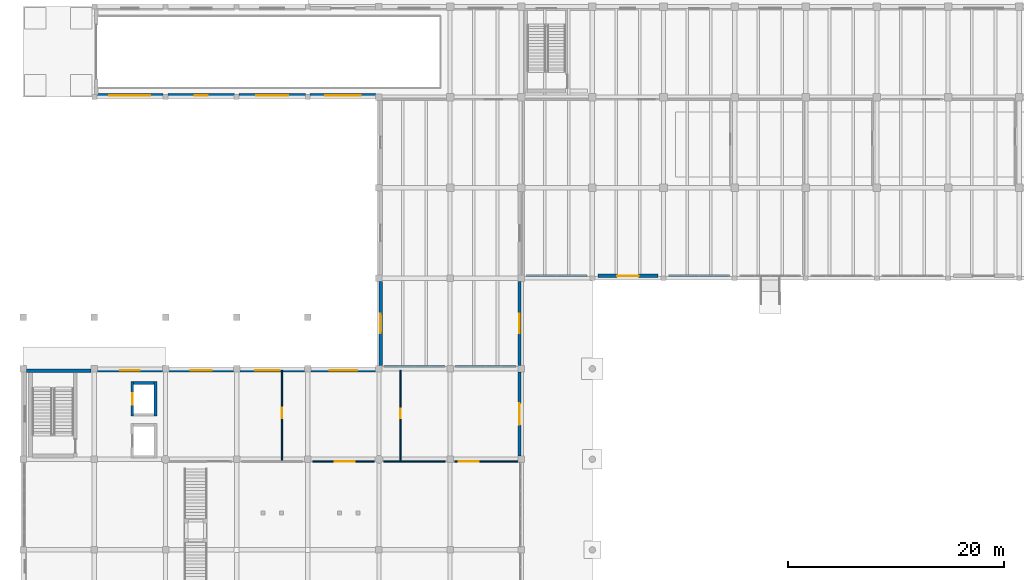
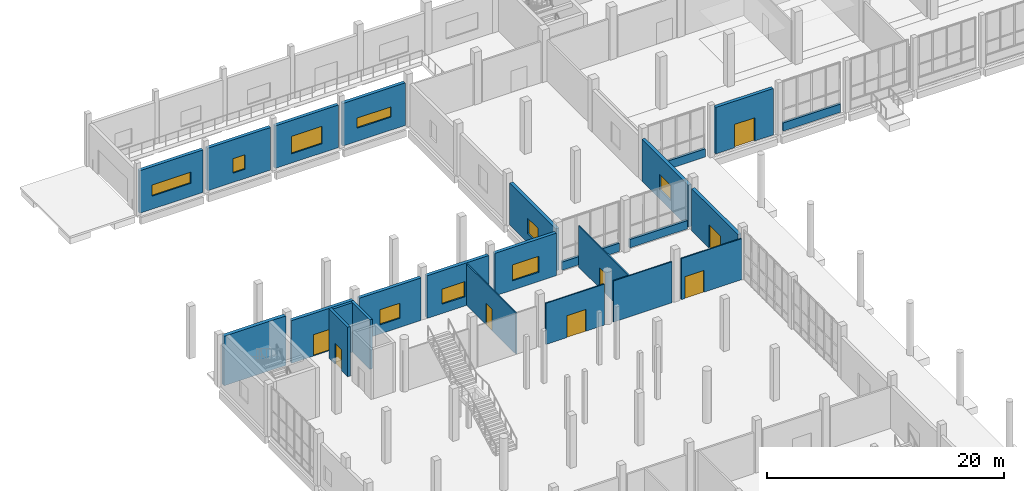
# One storey, part 42 of 64: 25 walls, 9 windows, 8 doors, 17 openings.
"""IFC4 building model written with IfcOpenShell, lengths in metres."""

import ifcopenshell
import ifcopenshell.guid

model = None  # the IFC model being written
_history = None  # IfcOwnerHistory: only IFC2X3 demands one
_inside = {}  # id of a spatial element -> (the spatial element, [elements in it])
_under = {}  # id of a project, library or spatial element -> (it, [spatial elements below it])
_declared = {}  # id of a project -> (the project, [libraries it declares])
_typed = {}  # id of a type object -> (the type object, [elements of that type])
_made_of = {}  # id of a material, layer set ... -> (it, [elements and type objects made of it])


def new_model(schema):
    """Start an empty IFC model of exactly this schema.

    Asked for "IFC4X3", IfcOpenShell would pick the latest addendum, in which some entities
    have other attributes; the version numbers below select the first issue.
    IFC2X3 requires an IfcOwnerHistory on every rooted entity: one is made here for all.
    """
    global model, _history
    if schema == "IFC4X3":
        model = ifcopenshell.file(schema_version=(4, 3, 0, 0))
    else:
        model = ifcopenshell.file(schema=schema)
    _inside.clear()
    _under.clear()
    _declared.clear()
    _typed.clear()
    _made_of.clear()
    _history = None
    if model.schema == "IFC2X3":
        org = make("IfcOrganization", Name="unknown")
        user = make(
            "IfcPersonAndOrganization",
            ThePerson=make("IfcPerson", FamilyName="unknown"),
            TheOrganization=org,
        )
        app = make(
            "IfcApplication",
            ApplicationDeveloper=org,
            Version="unknown",
            ApplicationFullName="unknown",
            ApplicationIdentifier="unknown",
        )
        _history = make(
            "IfcOwnerHistory",
            OwningUser=user,
            OwningApplication=app,
            ChangeAction="ADDED",
            CreationDate=0,
        )
    return model


def make(cls, **values):
    """One entity of the class cls with the attributes given. An attribute that is None is left unset."""
    return model.create_entity(
        cls, **{name: value for name, value in values.items() if value is not None}
    )


def rooted(cls, **values):
    """An entity with a GlobalId (a new one), such as an element, a storey or a relation."""
    return make(cls, GlobalId=ifcopenshell.guid.new(), OwnerHistory=_history, **values)


def si_unit(unit_type, name, prefix=None):
    """IfcSIUnit, for example si_unit("LENGTHUNIT", "METRE", prefix="MILLI")."""
    return make("IfcSIUnit", UnitType=unit_type, Prefix=prefix, Name=name)


def assignment(units):
    """IfcUnitAssignment: the units of a project."""
    return None if units is None else make("IfcUnitAssignment", Units=units)


def point(xyz):
    """IfcCartesianPoint."""
    return None if xyz is None else make("IfcCartesianPoint", Coordinates=xyz)


def direction(xyz):
    """IfcDirection."""
    return None if xyz is None else make("IfcDirection", DirectionRatios=xyz)


def frame(location, z_axis=None, x_axis=None):
    """IfcAxis2Placement3D, a coordinate frame: its origin and axes. An axis left out is left unset."""
    return make(
        "IfcAxis2Placement3D",
        Location=point(location),
        Axis=direction(z_axis),
        RefDirection=direction(x_axis),
    )


def frame_2d(location, x_axis=None):
    """IfcAxis2Placement2D, a coordinate frame in the plane: its origin and x axis."""
    return make(
        "IfcAxis2Placement2D", Location=point(location), RefDirection=direction(x_axis)
    )


def origin():
    """The frame at (0, 0, 0) with its axes left unset."""
    return frame((0.0, 0.0, 0.0))


def place(relative_to, where):
    """IfcLocalPlacement: puts the frame where relative to a parent placement (None: the world)."""
    return make(
        "IfcLocalPlacement", PlacementRelTo=relative_to, RelativePlacement=where
    )


def context(
    kind, dimensions, precision=None, world=None, true_north=None, identifier=None
):
    """IfcGeometricRepresentationContext, for example the 3D "Model" context."""
    return make(
        "IfcGeometricRepresentationContext",
        ContextIdentifier=identifier,
        ContextType=kind,
        CoordinateSpaceDimension=dimensions,
        Precision=precision,
        WorldCoordinateSystem=world,
        TrueNorth=true_north,
    )


def subcontext(parent, identifier, kind, view, scale=None):
    """IfcGeometricRepresentationSubContext, for example "Body" below "Model"."""
    return make(
        "IfcGeometricRepresentationSubContext",
        ContextIdentifier=identifier,
        ContextType=kind,
        ParentContext=parent,
        TargetScale=scale,
        TargetView=view,
    )


def project(units=None, contexts=None):
    """IfcProject with its units and contexts."""
    return rooted(
        "IfcProject",
        Name="project",
        RepresentationContexts=contexts,
        UnitsInContext=assignment(units),
    )


def spatial(cls, under=None, at=None, **own):
    """A site, building, storey or space (cls), placed at a placement, below another one or the project."""
    s = rooted(cls, ObjectPlacement=at, **own)
    if under is not None:
        _under.setdefault(under.id(), (under, []))[1].append(s)
    return s


def profile(cls, at=None, kind="AREA", **sizes):
    """A parametric profile (cls). Its sizes go by their IFC names, for example OverallWidth=200.0."""
    return make(cls, ProfileType=kind, Position=at, **sizes)


def rectangle(**sizes):
    """IfcRectangleProfileDef."""
    return profile("IfcRectangleProfileDef", **sizes)


def extrude(swept, where, along, depth):
    """IfcExtrudedAreaSolid: the profile swept, set in the frame where, extruded along a direction by depth."""
    return make(
        "IfcExtrudedAreaSolid",
        SweptArea=swept,
        Position=where,
        ExtrudedDirection=direction(along),
        Depth=depth,
    )


def shape(context_of_items, identifier, shape_type, items):
    """IfcShapeRepresentation: the items that make up one representation, for example the "Body"."""
    return make(
        "IfcShapeRepresentation",
        ContextOfItems=context_of_items,
        RepresentationIdentifier=identifier,
        RepresentationType=shape_type,
        Items=items,
    )


def material(Name=None, Category=None):
    """IfcMaterial."""
    return make("IfcMaterial", Name=Name, Category=Category)


def layer(
    of_material, thickness, ventilated=None, Name=None, Category=None, Priority=None
):
    """IfcMaterialLayer: one layer of a wall or slab, of a material (None: an air gap)."""
    return make(
        "IfcMaterialLayer",
        Material=of_material,
        LayerThickness=thickness,
        IsVentilated=ventilated,
        Name=Name,
        Category=Category,
        Priority=Priority,
    )


def layer_set(layers, Name=None):
    """IfcMaterialLayerSet."""
    return make("IfcMaterialLayerSet", MaterialLayers=layers, LayerSetName=Name)


def made_of(thing, what):
    """Note that an element or type object is made of a material, layer set ...; save() writes the relation."""
    if what is not None:
        _made_of.setdefault(what.id(), (what, []))[1].append(thing)
    return thing


def type_object(cls, material=None, **own):
    """A type object (cls), such as IfcWallType, which elements share."""
    return made_of(rooted(cls, **own), material)


def element(
    cls,
    number,
    at=None,
    inside=None,
    cuts=None,
    type_object=None,
    material=None,
    context=None,
    identifier="Body",
    shape_type=None,
    held_by="IfcProductDefinitionShape",
    body=None,
    shapes=None,
    **own,
):
    """One element of the class cls, such as IfcWall. Its Tag is "e" and its number.

    at: its placement. inside: the storey or other place that contains it. cuts: it is an
    opening in that element (IfcRelVoidsElement). A single representation is given by context,
    identifier, shape_type and body (its items); several are given by shapes. held_by: the class
    of the entity that holds the representations. save() writes the other relations.
    """
    e = rooted(cls, Tag="e%d" % number, ObjectPlacement=at, **own)
    if body is not None:
        shapes = [shape(context, identifier, shape_type, body)]
    if shapes is not None:
        e.Representation = make(held_by, Representations=shapes)
    if inside is not None:
        _inside.setdefault(inside.id(), (inside, []))[1].append(e)
    if cuts is not None:
        rooted(
            "IfcRelVoidsElement", RelatingBuildingElement=cuts, RelatedOpeningElement=e
        )
    if type_object is not None:
        _typed.setdefault(type_object.id(), (type_object, []))[1].append(e)
    return made_of(e, material)


def fill(opening, filler):
    """IfcRelFillsElement: the door or window that sits in an opening."""
    return rooted(
        "IfcRelFillsElement",
        RelatingOpeningElement=opening,
        RelatedBuildingElement=filler,
    )


def aggregate(whole, parts):
    """IfcRelAggregates: a whole, such as a stair, and the parts it consists of."""
    return rooted("IfcRelAggregates", RelatingObject=whole, RelatedObjects=parts)


def save(model, path):
    """Write the relations noted so far, then the file.

    IfcRelAggregates (storeys below a building ...), IfcRelContainedInSpatialStructure (elements
    in a storey), IfcRelDefinesByType, IfcRelAssociatesMaterial and IfcRelDeclares: one each for
    every whole, place, type object, material and project.
    """
    for whole, parts in _under.values():
        aggregate(whole, parts)
    for where, things in _inside.values():
        rooted(
            "IfcRelContainedInSpatialStructure",
            RelatedElements=things,
            RelatingStructure=where,
        )
    for kind, things in _typed.values():
        rooted("IfcRelDefinesByType", RelatedObjects=things, RelatingType=kind)
    for what, things in _made_of.values():
        rooted("IfcRelAssociatesMaterial", RelatedObjects=things, RelatingMaterial=what)
    for by, libraries in _declared.values():
        rooted("IfcRelDeclares", RelatingContext=by, RelatedDefinitions=libraries)
    model.write(path)


model = new_model("IFC4")

# Units and contexts
model_context = context("Model", 3, precision=1e-05, world=origin(), true_north=direction((0.0, 1.0)))
body_context = subcontext(model_context, "Body", "Model", "MODEL_VIEW")
ifc_project = project(units=[si_unit("LENGTHUNIT", "METRE"), si_unit("AREAUNIT", "SQUARE_METRE"), si_unit("VOLUMEUNIT", "CUBIC_METRE"), si_unit("PLANEANGLEUNIT", "RADIAN"), si_unit("MASSUNIT", "GRAM", prefix="KILO")], contexts=[model_context])

# Site, building, storey
site_placement = place(None, origin())
site = spatial("IfcSite", under=ifc_project, at=site_placement, CompositionType="ELEMENT")
building_placement = place(site_placement, origin())
building = spatial("IfcBuilding", under=site, at=building_placement, Name="Qaldarim Faculty of Natural and Applied Sciences", CompositionType="ELEMENT")
storey_placement = place(building_placement, origin())
storey = spatial("IfcBuildingStorey", under=building, at=storey_placement, Name="L00", CompositionType="ELEMENT", Elevation=0.0)

# Wall, opening, door
ifc_material_1 = material(Name="Painted gypsum partition board")
ifc_layer_1 = layer(ifc_material_1, 0.1201171875)
ifc_layer_set_1 = layer_set([ifc_layer_1], Name="Painted gypsum partition board")
wall_type_1 = type_object("IfcWallType", Name="AcousticPartition-120", PredefinedType="PARTITIONING", material=ifc_layer_set_1)
wall_1_placement = place(storey_placement, frame((26.85009765625, 75.39990234375, 0.0), z_axis=(0.0, 0.0, 1.0), x_axis=(1.0, 0.0, 0.0)))
wall_1 = element("IfcWall", 1, at=wall_1_placement, inside=storey, type_object=wall_type_1, Name="Interior partition PRT-L00-V2-CAFS-S3", PredefinedType="PARTITIONING", context=body_context, shape_type="SweptSolid", body=[
    extrude(rectangle(XDim=5.699951171875, YDim=0.1201171875, at=frame_2d((2.85009765625, 0.0))), origin(), (0.0, 0.0, 1.0), 4.235107421875),
])
opening_1_placement = place(wall_1_placement, frame((2.050048828125, 0.0, 0.0)))
opening_1 = element("IfcOpeningElement", 2, at=opening_1_placement, cuts=wall_1, Name="Opening ID05", PredefinedType="OPENING", context=body_context, shape_type="SweptSolid", body=[
    extrude(rectangle(XDim=1.85009765625, YDim=2.25, at=frame_2d((0.925048828125, 1.125))), frame((0.0, 0.070068359375, 0.0), z_axis=(0.0, -1.0, 0.0), x_axis=(1.0, 0.0, 0.0)), (0.0, 0.0, 1.0), 0.14013671875),
])
ifc_material_2 = material(Name="Oak hardwood", Category="wood")
door_type_1 = type_object("IfcDoorType", Name="LectureDoubleDoor-1850x2250", OperationType="NOTDEFINED", PredefinedType="DOOR", material=ifc_material_2)
door_1_placement = place(opening_1_placement, origin())
door_1 = element("IfcDoor", 3, at=door_1_placement, inside=storey, type_object=door_type_1, Name="Interior door D-L00-170", OperationType="DOUBLE_DOOR_SINGLE_SWING", OverallHeight=2.25, OverallWidth=1.85009765625, PredefinedType="DOOR", context=body_context, shape_type="SweptSolid", body=[
    extrude(rectangle(XDim=1.85009765625, YDim=2.25, at=frame_2d((0.925048828125, 1.125))), frame((0.0, 0.02490234375, 0.0), z_axis=(0.0, -1.0, 0.0), x_axis=(1.0, 0.0, 0.0)), (0.0, 0.0, 1.0), 0.050048828125),
])
fill(opening_1, door_1)

# Wall
wall_2_placement = place(storey_placement, frame((33.449951171875, 75.39990234375, 0.0), z_axis=(0.0, 0.0, 1.0), x_axis=(1.0, 0.0, 0.0)))
element("IfcWall", 4, at=wall_2_placement, inside=storey, type_object=wall_type_1, Name="Interior partition PRT-L00-V2-CAFS-S4", PredefinedType="PARTITIONING", context=body_context, shape_type="SweptSolid", body=[
    extrude(rectangle(XDim=5.699951171875, YDim=0.1201171875, at=frame_2d((2.85009765625, 0.0))), origin(), (0.0, 0.0, 1.0), 4.235107421875),
])

# Wall, opening, door
wall_3_placement = place(storey_placement, frame((40.050048828125, 75.39990234375, 0.0), z_axis=(0.0, 0.0, 1.0), x_axis=(1.0, 0.0, 0.0)))
wall_3 = element("IfcWall", 5, at=wall_3_placement, inside=storey, type_object=wall_type_1, Name="Interior partition PRT-L00-V2-CAFS-S5", PredefinedType="PARTITIONING", context=body_context, shape_type="SweptSolid", body=[
    extrude(rectangle(XDim=5.89990234375, YDim=0.1201171875, at=frame_2d((2.949951171875, 0.0))), origin(), (0.0, 0.0, 1.0), 4.235107421875),
])
opening_2_placement = place(wall_3_placement, frame((0.35009765625, 0.0, 0.0)))
opening_2 = element("IfcOpeningElement", 6, at=opening_2_placement, cuts=wall_3, Name="Opening ID05", PredefinedType="OPENING", context=body_context, shape_type="SweptSolid", body=[
    extrude(rectangle(XDim=1.85009765625, YDim=2.25, at=frame_2d((0.925048828125, 1.125))), frame((0.0, 0.070068359375, 0.0), z_axis=(0.0, -1.0, 0.0), x_axis=(1.0, 0.0, 0.0)), (0.0, 0.0, 1.0), 0.14013671875),
])
door_2_placement = place(opening_2_placement, origin())
door_2 = element("IfcDoor", 7, at=door_2_placement, inside=storey, type_object=door_type_1, Name="Interior door D-L00-171", OperationType="DOUBLE_DOOR_SINGLE_SWING", OverallHeight=2.25, OverallWidth=1.85009765625, PredefinedType="DOOR", context=body_context, shape_type="SweptSolid", body=[
    extrude(rectangle(XDim=1.85009765625, YDim=2.25, at=frame_2d((0.925048828125, 1.125))), frame((0.0, 0.02490234375, 0.0), z_axis=(0.0, -1.0, 0.0), x_axis=(1.0, 0.0, 0.0)), (0.0, 0.0, 1.0), 0.050048828125),
])
fill(opening_2, door_2)

wall_4_placement = place(storey_placement, frame((24.0, 75.39990234375, 0.0), z_axis=(0.0, 0.0, 1.0), x_axis=(0.0, 1.0, 0.0)))
wall_4 = element("IfcWall", 8, at=wall_4_placement, inside=storey, type_object=wall_type_1, Name="Interior partition PRT-L00-V2-SEMDIV", PredefinedType="PARTITIONING", context=body_context, shape_type="SweptSolid", body=[
    extrude(rectangle(XDim=8.460205078125, YDim=0.1201171875, at=frame_2d((4.22998046875, 0.0))), origin(), (0.0, 0.0, 1.0), 4.25),
])
opening_3_placement = place(wall_4_placement, frame((4.0, 0.0, 0.0)))
opening_3 = element("IfcOpeningElement", 9, at=opening_3_placement, cuts=wall_4, Name="Opening ID08", PredefinedType="OPENING", context=body_context, shape_type="SweptSolid", body=[
    extrude(rectangle(XDim=1.0, YDim=2.199951171875, at=frame_2d((0.5, 1.10009765625))), frame((0.0, 0.070068359375, 0.0), z_axis=(0.0, -1.0, 0.0), x_axis=(1.0, 0.0, 0.0)), (0.0, 0.0, 1.0), 0.14013671875),
])
door_type_2 = type_object("IfcDoorType", Name="SeminarRoomDoor-1000x2200", OperationType="NOTDEFINED", PredefinedType="DOOR", material=ifc_material_2)
door_3_placement = place(opening_3_placement, origin())
door_3 = element("IfcDoor", 10, at=door_3_placement, inside=storey, type_object=door_type_2, Name="Interior door D-L00-370", OperationType="SINGLE_SWING_LEFT", OverallHeight=2.199951171875, OverallWidth=1.0, PredefinedType="DOOR", context=body_context, shape_type="SweptSolid", body=[
    extrude(rectangle(XDim=1.0, YDim=2.199951171875, at=frame_2d((0.5, 1.10009765625))), frame((0.0, 0.02490234375, 0.0), z_axis=(0.0, -1.0, 0.0), x_axis=(1.0, 0.0, 0.0)), (0.0, 0.0, 1.0), 0.050048828125),
])
fill(opening_3, door_3)

wall_5_placement = place(storey_placement, frame((35.0, 75.39990234375, 0.0), z_axis=(0.0, 0.0, 1.0), x_axis=(0.0, 1.0, 0.0)))
wall_5 = element("IfcWall", 11, at=wall_5_placement, inside=storey, type_object=wall_type_1, Name="Interior partition PRT-L00-V2-SEMDIV2", PredefinedType="PARTITIONING", context=body_context, shape_type="SweptSolid", body=[
    extrude(rectangle(XDim=8.460205078125, YDim=0.1201171875, at=frame_2d((4.22998046875, 0.0))), origin(), (0.0, 0.0, 1.0), 4.25),
])
opening_4_placement = place(wall_5_placement, frame((4.0, 0.0, 0.0)))
opening_4 = element("IfcOpeningElement", 12, at=opening_4_placement, cuts=wall_5, Name="Opening ID07", PredefinedType="OPENING", context=body_context, shape_type="SweptSolid", body=[
    extrude(rectangle(XDim=0.89990234375, YDim=2.10009765625, at=frame_2d((0.449951171875, 1.050048828125))), frame((0.0, 0.070068359375, 0.0), z_axis=(0.0, -1.0, 0.0), x_axis=(1.0, 0.0, 0.0)), (0.0, 0.0, 1.0), 0.14013671875),
])
door_type_3 = type_object("IfcDoorType", Name="OfficeStudyDoor-900x2100", OperationType="NOTDEFINED", PredefinedType="DOOR", material=ifc_material_2)
door_4_placement = place(opening_4_placement, origin())
door_4 = element("IfcDoor", 13, at=door_4_placement, inside=storey, type_object=door_type_3, Name="Interior door D-L00-371", OperationType="SINGLE_SWING_LEFT", OverallHeight=2.10009765625, OverallWidth=0.89990234375, PredefinedType="DOOR", context=body_context, shape_type="SweptSolid", body=[
    extrude(rectangle(XDim=0.89990234375, YDim=2.10009765625, at=frame_2d((0.449951171875, 1.050048828125))), frame((0.0, 0.02490234375, 0.0), z_axis=(0.0, -1.0, 0.0), x_axis=(1.0, 0.0, 0.0)), (0.0, 0.0, 1.0), 0.050048828125),
])
fill(opening_4, door_4)

ifc_material_3 = material(Name="Precast concrete C40/50", Category="concrete")
ifc_layer_2 = layer(ifc_material_3, 0.320068359375)
ifc_layer_set_2 = layer_set([ifc_layer_2], Name="Precast concrete C40/50")
wall_type_2 = type_object("IfcWallType", Name="ExteriorLimestoneWall-320", PredefinedType="SOLIDWALL", material=ifc_layer_set_2)
wall_6_placement = place(storey_placement, frame((12.905029296875, 83.840087890625, 0.0), z_axis=(0.0, 0.0, 1.0), x_axis=(-1.0, 0.0, 0.0)))
wall_6 = element("IfcWall", 14, at=wall_6_placement, inside=storey, type_object=wall_type_2, Name="Exterior wall EW01 L00 N X02Y10", PredefinedType="SOLIDWALL", context=body_context, shape_type="SweptSolid", body=[
    extrude(rectangle(XDim=6.010009765625, YDim=0.320068359375, at=frame_2d((3.0048828125, 0.0))), origin(), (0.0, 0.0, 1.0), 4.385009765625),
])
opening_5_placement = place(wall_6_placement, frame((2.10498046875, 0.0, 0.0)))
opening_5 = element("IfcOpeningElement", 15, at=opening_5_placement, cuts=wall_6, Name="Opening ED04", PredefinedType="OPENING", context=body_context, shape_type="SweptSolid", body=[
    extrude(rectangle(XDim=1.800048828125, YDim=2.199951171875, at=frame_2d((0.89990234375, 1.10009765625))), frame((0.0, 0.169921875, 0.0), z_axis=(0.0, -1.0, 0.0), x_axis=(1.0, 0.0, 0.0)), (0.0, 0.0, 1.0), 0.340087890625),
])
ifc_material_4 = material(Name="Architectural stainless steel 316", Category="steel")
door_type_4 = type_object("IfcDoorType", Name="FinalExitDoubleDoor-1800x2200", OperationType="NOTDEFINED", PredefinedType="DOOR", material=ifc_material_4)
door_5_placement = place(opening_5_placement, frame((1.800048828125, 0.0, 0.0), z_axis=(0.0, 0.0, 1.0), x_axis=(-1.0, 0.0, 0.0)))
door_5 = element("IfcDoor", 16, at=door_5_placement, inside=storey, type_object=door_type_4, Name="Exterior entrance/exit door D-L00-003", OperationType="DOUBLE_DOOR_SINGLE_SWING", OverallHeight=2.199951171875, OverallWidth=1.800048828125, PredefinedType="DOOR", context=body_context, shape_type="SweptSolid", body=[
    extrude(rectangle(XDim=1.800048828125, YDim=2.199951171875, at=frame_2d((0.89990234375, 1.10009765625))), frame((0.0, 0.02490234375, 0.0), z_axis=(0.0, -1.0, 0.0), x_axis=(1.0, 0.0, 0.0)), (0.0, 0.0, 1.0), 0.050048828125),
])
fill(opening_5, door_5)

# Wall, opening, window
wall_7_placement = place(storey_placement, frame((6.820068359375, 109.360107421875, 0.0), z_axis=(0.0, 0.0, 1.0), x_axis=(1.0, 0.0, 0.0)))
wall_7 = element("IfcWall", 17, at=wall_7_placement, inside=storey, type_object=wall_type_2, Name="Exterior wall EW01 L00 S X02Y14", PredefinedType="SOLIDWALL", context=body_context, shape_type="SweptSolid", body=[
    extrude(rectangle(XDim=6.159912109375, YDim=0.320068359375, at=frame_2d((3.080078125, 0.0))), origin(), (0.0, 0.0, 1.0), 4.385009765625),
])
opening_6_placement = place(wall_7_placement, frame((1.179931640625, 0.0, 1.35009765625)))
opening_6 = element("IfcOpeningElement", 18, at=opening_6_placement, cuts=wall_7, Name="Opening WN24", PredefinedType="OPENING", context=body_context, shape_type="SweptSolid", body=[
    extrude(rectangle(XDim=3.800048828125, YDim=1.14990234375, at=frame_2d((1.89990234375, 0.574951171875))), frame((0.0, 0.169921875, 0.0), z_axis=(0.0, -1.0, 0.0), x_axis=(1.0, 0.0, 0.0)), (0.0, 0.0, 1.0), 0.340087890625),
])
ifc_material_5 = material(Name="Insulated low-e double glazing", Category="glass")
window_type_1 = type_object("IfcWindowType", Name="ClerestoryWindow-3800x1150", PartitioningType="TRIPLE_PANEL_HORIZONTAL", PredefinedType="WINDOW", material=ifc_material_5)
window_1_placement = place(opening_6_placement, origin())
window_1 = element("IfcWindow", 19, at=window_1_placement, inside=storey, type_object=window_type_1, Name="Facade window WN24 L00 S X02Y14", OverallHeight=1.14990234375, OverallWidth=3.800048828125, PartitioningType="SINGLE_PANEL", PredefinedType="WINDOW", context=body_context, shape_type="SweptSolid", body=[
    extrude(rectangle(XDim=3.800048828125, YDim=1.14990234375, at=frame_2d((1.89990234375, 0.574951171875))), frame((0.0, 0.030029296875, 0.0), z_axis=(0.0, -1.0, 0.0), x_axis=(1.0, 0.0, 0.0)), (0.0, 0.0, 1.0), 0.06005859375),
])
fill(opening_6, window_1)

wall_8_placement = place(storey_placement, frame((19.5048828125, 83.840087890625, 0.0), z_axis=(0.0, 0.0, 1.0), x_axis=(-1.0, 0.0, 0.0)))
wall_8 = element("IfcWall", 20, at=wall_8_placement, inside=storey, type_object=wall_type_2, Name="Exterior wall EW01 L00 N X03Y10", PredefinedType="SOLIDWALL", context=body_context, shape_type="SweptSolid", body=[
    extrude(rectangle(XDim=6.009765625, YDim=0.320068359375, at=frame_2d((3.0048828125, 0.0))), origin(), (0.0, 0.0, 1.0), 4.385009765625),
])
opening_7_placement = place(wall_8_placement, frame((2.030029296875, 0.0, 0.949951171875)))
opening_7 = element("IfcOpeningElement", 21, at=opening_7_placement, cuts=wall_8, Name="Opening WN11", PredefinedType="OPENING", context=body_context, shape_type="SweptSolid", body=[
    extrude(rectangle(XDim=1.949951171875, YDim=1.550048828125, at=frame_2d((0.97509765625, 0.77490234375))), frame((0.0, 0.169921875, 0.0), z_axis=(0.0, -1.0, 0.0), x_axis=(1.0, 0.0, 0.0)), (0.0, 0.0, 1.0), 0.340087890625),
])
window_type_2 = type_object("IfcWindowType", Name="LabWindow-1950x1550", PartitioningType="DOUBLE_PANEL_VERTICAL", PredefinedType="WINDOW", material=ifc_material_5)
window_2_placement = place(opening_7_placement, origin())
window_2 = element("IfcWindow", 22, at=window_2_placement, inside=storey, type_object=window_type_2, Name="Facade window WN11 L00 N X03Y10", OverallHeight=1.550048828125, OverallWidth=1.949951171875, PartitioningType="SINGLE_PANEL", PredefinedType="WINDOW", context=body_context, shape_type="SweptSolid", body=[
    extrude(rectangle(XDim=1.949951171875, YDim=1.550048828125, at=frame_2d((0.97509765625, 0.77490234375))), frame((0.0, 0.030029296875, 0.0), z_axis=(0.0, -1.0, 0.0), x_axis=(1.0, 0.0, 0.0)), (0.0, 0.0, 1.0), 0.06005859375),
])
fill(opening_7, window_2)

wall_9_placement = place(storey_placement, frame((13.419921875, 109.360107421875, 0.0), z_axis=(0.0, 0.0, 1.0), x_axis=(1.0, 0.0, 0.0)))
wall_9 = element("IfcWall", 23, at=wall_9_placement, inside=storey, type_object=wall_type_2, Name="Exterior wall EW01 L00 S X03Y14", PredefinedType="SOLIDWALL", context=body_context, shape_type="SweptSolid", body=[
    extrude(rectangle(XDim=6.16015625, YDim=0.320068359375, at=frame_2d((3.080078125, 0.0))), origin(), (0.0, 0.0, 1.0), 4.385009765625),
])
opening_8_placement = place(wall_9_placement, frame((2.47998046875, 0.0, 0.949951171875)))
opening_8 = element("IfcOpeningElement", 24, at=opening_8_placement, cuts=wall_9, Name="Opening WN01", PredefinedType="OPENING", context=body_context, shape_type="SweptSolid", body=[
    extrude(rectangle(XDim=1.199951171875, YDim=1.5, at=frame_2d((0.60009765625, 0.75))), frame((0.0, 0.169921875, 0.0), z_axis=(0.0, -1.0, 0.0), x_axis=(1.0, 0.0, 0.0)), (0.0, 0.0, 1.0), 0.340087890625),
])
window_type_3 = type_object("IfcWindowType", Name="Window-1200x1500", PartitioningType="SINGLE_PANEL", PredefinedType="WINDOW", material=ifc_material_5)
window_3_placement = place(opening_8_placement, origin())
window_3 = element("IfcWindow", 25, at=window_3_placement, inside=storey, type_object=window_type_3, Name="Facade window WN01 L00 S X03Y14", OverallHeight=1.5, OverallWidth=1.199951171875, PartitioningType="SINGLE_PANEL", PredefinedType="WINDOW", context=body_context, shape_type="SweptSolid", body=[
    extrude(rectangle(XDim=1.199951171875, YDim=1.5, at=frame_2d((0.60009765625, 0.75))), frame((0.0, 0.030029296875, 0.0), z_axis=(0.0, -1.0, 0.0), x_axis=(1.0, 0.0, 0.0)), (0.0, 0.0, 1.0), 0.06005859375),
])
fill(opening_8, window_3)

wall_10_placement = place(storey_placement, frame((26.10498046875, 83.840087890625, 0.0), z_axis=(0.0, 0.0, 1.0), x_axis=(-1.0, 0.0, 0.0)))
wall_10 = element("IfcWall", 26, at=wall_10_placement, inside=storey, type_object=wall_type_2, Name="Exterior wall EW01 L00 N X04Y10", PredefinedType="SOLIDWALL", context=body_context, shape_type="SweptSolid", body=[
    extrude(rectangle(XDim=6.010009765625, YDim=0.320068359375, at=frame_2d((3.0048828125, 0.0))), origin(), (0.0, 0.0, 1.0), 4.385009765625),
])
opening_9_placement = place(wall_10_placement, frame((2.324951171875, 0.0, 0.949951171875)))
opening_9 = element("IfcOpeningElement", 27, at=opening_9_placement, cuts=wall_10, Name="Opening WN12", PredefinedType="OPENING", context=body_context, shape_type="SweptSolid", body=[
    extrude(rectangle(XDim=2.25, YDim=1.550048828125, at=frame_2d((1.125, 0.77490234375))), frame((0.0, 0.169921875, 0.0), z_axis=(0.0, -1.0, 0.0), x_axis=(1.0, 0.0, 0.0)), (0.0, 0.0, 1.0), 0.340087890625),
])
window_type_4 = type_object("IfcWindowType", Name="LabWindow-2250x1550", PartitioningType="TRIPLE_PANEL_VERTICAL", PredefinedType="WINDOW", material=ifc_material_5)
window_4_placement = place(opening_9_placement, origin())
window_4 = element("IfcWindow", 28, at=window_4_placement, inside=storey, type_object=window_type_4, Name="Facade window WN12 L00 N X04Y10", OverallHeight=1.550048828125, OverallWidth=2.25, PartitioningType="SINGLE_PANEL", PredefinedType="WINDOW", context=body_context, shape_type="SweptSolid", body=[
    extrude(rectangle(XDim=2.25, YDim=1.550048828125, at=frame_2d((1.125, 0.77490234375))), frame((0.0, 0.030029296875, 0.0), z_axis=(0.0, -1.0, 0.0), x_axis=(1.0, 0.0, 0.0)), (0.0, 0.0, 1.0), 0.06005859375),
])
fill(opening_9, window_4)

wall_11_placement = place(storey_placement, frame((20.02001953125, 109.360107421875, 0.0), z_axis=(0.0, 0.0, 1.0), x_axis=(1.0, 0.0, 0.0)))
wall_11 = element("IfcWall", 29, at=wall_11_placement, inside=storey, type_object=wall_type_2, Name="Exterior wall EW01 L00 S X04Y14", PredefinedType="SOLIDWALL", context=body_context, shape_type="SweptSolid", body=[
    extrude(rectangle(XDim=6.159912109375, YDim=0.320068359375, at=frame_2d((3.080078125, 0.0))), origin(), (0.0, 0.0, 1.0), 4.385009765625),
])
opening_10_placement = place(wall_11_placement, frame((1.580078125, 0.0, 0.949951171875)))
opening_10 = element("IfcOpeningElement", 30, at=opening_10_placement, cuts=wall_11, Name="Opening WN04", PredefinedType="OPENING", context=body_context, shape_type="SweptSolid", body=[
    extrude(rectangle(XDim=3.0, YDim=1.800048828125, at=frame_2d((1.5, 0.89990234375))), frame((0.0, 0.169921875, 0.0), z_axis=(0.0, -1.0, 0.0), x_axis=(1.0, 0.0, 0.0)), (0.0, 0.0, 1.0), 0.340087890625),
])
window_type_5 = type_object("IfcWindowType", Name="Window-3000x1800", PartitioningType="TRIPLE_PANEL_VERTICAL", PredefinedType="WINDOW", material=ifc_material_5)
window_5_placement = place(opening_10_placement, origin())
window_5 = element("IfcWindow", 31, at=window_5_placement, inside=storey, type_object=window_type_5, Name="Facade window WN04 L00 S X04Y14", OverallHeight=1.800048828125, OverallWidth=3.0, PartitioningType="SINGLE_PANEL", PredefinedType="WINDOW", context=body_context, shape_type="SweptSolid", body=[
    extrude(rectangle(XDim=3.0, YDim=1.800048828125, at=frame_2d((1.5, 0.89990234375))), frame((0.0, 0.030029296875, 0.0), z_axis=(0.0, -1.0, 0.0), x_axis=(1.0, 0.0, 0.0)), (0.0, 0.0, 1.0), 0.06005859375),
])
fill(opening_10, window_5)

wall_12_placement = place(storey_placement, frame((32.705078125, 83.840087890625, 0.0), z_axis=(0.0, 0.0, 1.0), x_axis=(-1.0, 0.0, 0.0)))
wall_12 = element("IfcWall", 32, at=wall_12_placement, inside=storey, type_object=wall_type_2, Name="Exterior wall EW01 L00 N X05Y10", PredefinedType="SOLIDWALL", context=body_context, shape_type="SweptSolid", body=[
    extrude(rectangle(XDim=6.010009765625, YDim=0.320068359375, at=frame_2d((3.0048828125, 0.0))), origin(), (0.0, 0.0, 1.0), 4.385009765625),
])
opening_11_placement = place(wall_12_placement, frame((1.72998046875, 0.0, 0.949951171875)))
opening_11 = element("IfcOpeningElement", 33, at=opening_11_placement, cuts=wall_12, Name="Opening WN13", PredefinedType="OPENING", context=body_context, shape_type="SweptSolid", body=[
    extrude(rectangle(XDim=2.550048828125, YDim=1.64990234375, at=frame_2d((1.27490234375, 0.824951171875))), frame((0.0, 0.169921875, 0.0), z_axis=(0.0, -1.0, 0.0), x_axis=(1.0, 0.0, 0.0)), (0.0, 0.0, 1.0), 0.340087890625),
])
window_type_6 = type_object("IfcWindowType", Name="LabWindow-2550x1650", PartitioningType="TRIPLE_PANEL_VERTICAL", PredefinedType="WINDOW", material=ifc_material_5)
window_6_placement = place(opening_11_placement, origin())
window_6 = element("IfcWindow", 34, at=window_6_placement, inside=storey, type_object=window_type_6, Name="Facade window WN13 L00 N X05Y10", OverallHeight=1.64990234375, OverallWidth=2.550048828125, PartitioningType="SINGLE_PANEL", PredefinedType="WINDOW", context=body_context, shape_type="SweptSolid", body=[
    extrude(rectangle(XDim=2.550048828125, YDim=1.64990234375, at=frame_2d((1.27490234375, 0.824951171875))), frame((0.0, 0.030029296875, 0.0), z_axis=(0.0, -1.0, 0.0), x_axis=(1.0, 0.0, 0.0)), (0.0, 0.0, 1.0), 0.06005859375),
])
fill(opening_11, window_6)

wall_13_placement = place(storey_placement, frame((26.6201171875, 109.360107421875, 0.0), z_axis=(0.0, 0.0, 1.0), x_axis=(1.0, 0.0, 0.0)))
wall_13 = element("IfcWall", 35, at=wall_13_placement, inside=storey, type_object=wall_type_2, Name="Exterior wall EW01 L00 S X05Y14", PredefinedType="SOLIDWALL", context=body_context, shape_type="SweptSolid", body=[
    extrude(rectangle(XDim=6.0849609375, YDim=0.320068359375, at=frame_2d((3.04248046875, 0.0))), origin(), (0.0, 0.0, 1.0), 4.385009765625),
])
opening_12_placement = place(wall_13_placement, frame((1.389892578125, 0.0, 1.35009765625)))
opening_12 = element("IfcOpeningElement", 36, at=opening_12_placement, cuts=wall_13, Name="Opening WN23", PredefinedType="OPENING", context=body_context, shape_type="SweptSolid", body=[
    extrude(rectangle(XDim=3.300048828125, YDim=1.050048828125, at=frame_2d((1.64990234375, 0.52490234375))), frame((0.0, 0.169921875, 0.0), z_axis=(0.0, -1.0, 0.0), x_axis=(1.0, 0.0, 0.0)), (0.0, 0.0, 1.0), 0.340087890625),
])
window_type_7 = type_object("IfcWindowType", Name="ClerestoryWindow-3300x1050", PartitioningType="TRIPLE_PANEL_HORIZONTAL", PredefinedType="WINDOW", material=ifc_material_5)
window_7_placement = place(opening_12_placement, origin())
window_7 = element("IfcWindow", 37, at=window_7_placement, inside=storey, type_object=window_type_7, Name="Facade window WN23 L00 S X05Y14", OverallHeight=1.050048828125, OverallWidth=3.300048828125, PartitioningType="SINGLE_PANEL", PredefinedType="WINDOW", context=body_context, shape_type="SweptSolid", body=[
    extrude(rectangle(XDim=3.300048828125, YDim=1.050048828125, at=frame_2d((1.64990234375, 0.52490234375))), frame((0.0, 0.030029296875, 0.0), z_axis=(0.0, -1.0, 0.0), x_axis=(1.0, 0.0, 0.0)), (0.0, 0.0, 1.0), 0.06005859375),
])
fill(opening_12, window_7)

wall_14_placement = place(storey_placement, frame((33.159912109375, 92.10498046875, 0.0), z_axis=(0.0, 0.0, 1.0), x_axis=(0.0, -1.0, 0.0)))
wall_14 = element("IfcWall", 38, at=wall_14_placement, inside=storey, type_object=wall_type_2, Name="Exterior wall EW01 L00 W X06Y11", PredefinedType="SOLIDWALL", context=body_context, shape_type="SweptSolid", body=[
    extrude(rectangle(XDim=7.81005859375, YDim=0.320068359375, at=frame_2d((3.905029296875, 0.0))), origin(), (0.0, 0.0, 1.0), 4.3349609375),
])
opening_13_placement = place(wall_14_placement, frame((3.0048828125, 0.0, 0.949951171875)))
opening_13 = element("IfcOpeningElement", 39, at=opening_13_placement, cuts=wall_14, Name="Opening WN02", PredefinedType="OPENING", context=body_context, shape_type="SweptSolid", body=[
    extrude(rectangle(XDim=1.800048828125, YDim=1.60009765625, at=frame_2d((0.89990234375, 0.800048828125))), frame((0.0, 0.169921875, 0.0), z_axis=(0.0, -1.0, 0.0), x_axis=(1.0, 0.0, 0.0)), (0.0, 0.0, 1.0), 0.340087890625),
])
window_type_8 = type_object("IfcWindowType", Name="Window-1800x1600", PartitioningType="DOUBLE_PANEL_VERTICAL", PredefinedType="WINDOW", material=ifc_material_5)
window_8_placement = place(opening_13_placement, origin())
window_8 = element("IfcWindow", 40, at=window_8_placement, inside=storey, type_object=window_type_8, Name="Facade window WN02 L00 W X06Y11", OverallHeight=1.60009765625, OverallWidth=1.800048828125, PartitioningType="SINGLE_PANEL", PredefinedType="WINDOW", context=body_context, shape_type="SweptSolid", body=[
    extrude(rectangle(XDim=1.800048828125, YDim=1.60009765625, at=frame_2d((0.89990234375, 0.800048828125))), frame((0.0, 0.030029296875, 0.0), z_axis=(0.0, -1.0, 0.0), x_axis=(1.0, 0.0, 0.0)), (0.0, 0.0, 1.0), 0.06005859375),
])
fill(opening_13, window_8)

# Wall, opening, door
wall_15_placement = place(storey_placement, frame((46.0400390625, 75.89501953125, 0.0), z_axis=(0.0, 0.0, 1.0), x_axis=(0.0, 1.0, 0.0)))
wall_15 = element("IfcWall", 41, at=wall_15_placement, inside=storey, type_object=wall_type_2, Name="Exterior wall EW01 L00 E X07Y10", PredefinedType="SOLIDWALL", context=body_context, shape_type="SweptSolid", body=[
    extrude(rectangle(XDim=7.81005859375, YDim=0.320068359375, at=frame_2d((3.905029296875, 0.0))), origin(), (0.0, 0.0, 1.0), 4.3349609375),
])
opening_14_placement = place(wall_15_placement, frame((2.905029296875, 0.0, 0.0)))
opening_14 = element("IfcOpeningElement", 42, at=opening_14_placement, cuts=wall_15, Name="Opening ED01", PredefinedType="OPENING", context=body_context, shape_type="SweptSolid", body=[
    extrude(rectangle(XDim=2.0, YDim=2.39990234375, at=frame_2d((1.0, 1.199951171875))), frame((0.0, 0.169921875, 0.0), z_axis=(0.0, -1.0, 0.0), x_axis=(1.0, 0.0, 0.0)), (0.0, 0.0, 1.0), 0.340087890625),
])
ifc_material_6 = material(Name="Anodised aluminium AW-6063", Category="aluminium")
door_type_5 = type_object("IfcDoorType", Name="MainEntranceDoubleDoor-2000x2400", OperationType="NOTDEFINED", PredefinedType="DOOR", material=ifc_material_6)
door_6_placement = place(opening_14_placement, frame((2.0, 0.0, 0.0), z_axis=(0.0, 0.0, 1.0), x_axis=(-1.0, 0.0, 0.0)))
door_6 = element("IfcDoor", 43, at=door_6_placement, inside=storey, type_object=door_type_5, Name="Exterior entrance/exit door D-L00-010", OperationType="DOUBLE_DOOR_SINGLE_SWING", OverallHeight=2.39990234375, OverallWidth=2.0, PredefinedType="DOOR", context=body_context, shape_type="SweptSolid", body=[
    extrude(rectangle(XDim=2.0, YDim=2.39990234375, at=frame_2d((1.0, 1.199951171875))), frame((0.0, 0.02490234375, 0.0), z_axis=(0.0, -1.0, 0.0), x_axis=(1.0, 0.0, 0.0)), (0.0, 0.0, 1.0), 0.050048828125),
])
fill(opening_14, door_6)

# Wall, opening, window
wall_16_placement = place(storey_placement, frame((46.0400390625, 84.294921875, 0.0), z_axis=(0.0, 0.0, 1.0), x_axis=(0.0, 1.0, 0.0)))
wall_16 = element("IfcWall", 44, at=wall_16_placement, inside=storey, type_object=wall_type_2, Name="Exterior wall EW01 L00 E X07Y11", PredefinedType="SOLIDWALL", context=body_context, shape_type="SweptSolid", body=[
    extrude(rectangle(XDim=7.81005859375, YDim=0.320068359375, at=frame_2d((3.905029296875, 0.0))), origin(), (0.0, 0.0, 1.0), 4.3349609375),
])
opening_15_placement = place(wall_16_placement, frame((3.0048828125, 0.0, 0.949951171875)))
opening_15 = element("IfcOpeningElement", 45, at=opening_15_placement, cuts=wall_16, Name="Opening WN02", PredefinedType="OPENING", context=body_context, shape_type="SweptSolid", body=[
    extrude(rectangle(XDim=1.800048828125, YDim=1.60009765625, at=frame_2d((0.89990234375, 0.800048828125))), frame((0.0, 0.169921875, 0.0), z_axis=(0.0, -1.0, 0.0), x_axis=(1.0, 0.0, 0.0)), (0.0, 0.0, 1.0), 0.340087890625),
])
window_9_placement = place(opening_15_placement, origin())
window_9 = element("IfcWindow", 46, at=window_9_placement, inside=storey, type_object=window_type_8, Name="Facade window WN02 L00 E X07Y11", OverallHeight=1.60009765625, OverallWidth=1.800048828125, PartitioningType="SINGLE_PANEL", PredefinedType="WINDOW", context=body_context, shape_type="SweptSolid", body=[
    extrude(rectangle(XDim=1.800048828125, YDim=1.60009765625, at=frame_2d((0.89990234375, 0.800048828125))), frame((0.0, 0.030029296875, 0.0), z_axis=(0.0, -1.0, 0.0), x_axis=(1.0, 0.0, 0.0)), (0.0, 0.0, 1.0), 0.06005859375),
])
fill(opening_15, window_9)

# Wall, opening, door
wall_17_placement = place(storey_placement, frame((53.300048828125, 92.6201171875, 0.0), z_axis=(0.0, 0.0, 1.0), x_axis=(1.0, 0.0, 0.0)))
wall_17 = element("IfcWall", 47, at=wall_17_placement, inside=storey, type_object=wall_type_2, Name="Laboratories courtyard entrance bay X09", PredefinedType="SOLIDWALL", context=body_context, shape_type="SweptSolid", body=[
    extrude(rectangle(XDim=5.599853515625, YDim=0.320068359375, at=frame_2d((2.7998046875, 0.0))), origin(), (0.0, 0.0, 1.0), 4.784912109375),
])
opening_16_placement = place(wall_17_placement, frame((1.800048828125, 0.0, 0.0)))
opening_16 = element("IfcOpeningElement", 48, at=opening_16_placement, cuts=wall_17, Name="Opening ED01", PredefinedType="OPENING", context=body_context, shape_type="SweptSolid", body=[
    extrude(rectangle(XDim=2.0, YDim=2.39990234375, at=frame_2d((1.0, 1.199951171875))), frame((0.0, 0.169921875, 0.0), z_axis=(0.0, -1.0, 0.0), x_axis=(1.0, 0.0, 0.0)), (0.0, 0.0, 1.0), 0.340087890625),
])
door_7_placement = place(opening_16_placement, frame((2.0, 0.0, 0.0), z_axis=(0.0, 0.0, 1.0), x_axis=(-1.0, 0.0, 0.0)))
door_7 = element("IfcDoor", 49, at=door_7_placement, inside=storey, type_object=door_type_5, Name="Laboratories courtyard entrance door D-L00-034", OperationType="DOUBLE_DOOR_SINGLE_SWING", OverallHeight=2.39990234375, OverallWidth=2.0, PredefinedType="DOOR", context=body_context, shape_type="SweptSolid", body=[
    extrude(rectangle(XDim=2.0, YDim=2.39990234375, at=frame_2d((1.0, 1.199951171875))), frame((0.0, 0.02490234375, 0.0), z_axis=(0.0, -1.0, 0.0), x_axis=(1.0, 0.0, 0.0)), (0.0, 0.0, 1.0), 0.050048828125),
])
fill(opening_16, door_7)

# Wall
ifc_material_7 = material(Name="Concrete C50/60", Category="concrete")
ifc_layer_3 = layer(ifc_material_7, 0.340087890625)
ifc_layer_set_3 = layer_set([ifc_layer_3], Name="Concrete C50/60")
wall_type_3 = type_object("IfcWallType", Name="ExteriorStairShearWall-340", PredefinedType="SHEAR", material=ifc_layer_set_3)
wall_18_placement = place(storey_placement, frame((6.304931640625, 83.830078125, 0.0), z_axis=(0.0, 0.0, 1.0), x_axis=(-1.0, 0.0, 0.0)))
element("IfcWall", 50, at=wall_18_placement, inside=storey, type_object=wall_type_3, Name="Exterior wall EW05 L00 N X01Y10", PredefinedType="SHEAR", context=body_context, shape_type="SweptSolid", body=[
    extrude(rectangle(XDim=6.010009765625, YDim=0.340087890625, at=frame_2d((3.0048828125, 0.0))), origin(), (0.0, 0.0, 1.0), 5.10009765625),
])

# Wall, opening, door
ifc_material_8 = material(Name="Concrete C40/50", Category="concrete")
ifc_layer_4 = layer(ifc_material_8, 0.25)
ifc_layer_set_4 = layer_set([ifc_layer_4], Name="Concrete C40/50")
wall_type_4 = type_object("IfcWallType", Name="LiftShaftWall-250", PredefinedType="SHEAR", material=ifc_layer_set_4)
wall_19_placement = place(storey_placement, frame((10.125, 79.60009765625, 0.0), z_axis=(0.0, 0.0, 1.0), x_axis=(0.0, 1.0, 0.0)))
wall_19 = element("IfcWall", 51, at=wall_19_placement, inside=storey, type_object=wall_type_4, Name="Lift LF-D2 front shaft wall L00", PredefinedType="SHEAR", context=body_context, shape_type="SweptSolid", body=[
    extrude(rectangle(XDim=3.199951171875, YDim=0.25, at=frame_2d((1.60009765625, 0.0))), origin(), (0.0, 0.0, 1.0), 5.10009765625),
])
opening_17_placement = place(wall_19_placement, frame((1.050048828125, 0.0, 0.0)))
opening_17 = element("IfcOpeningElement", 52, at=opening_17_placement, cuts=wall_19, Name="Opening LD01", PredefinedType="OPENING", context=body_context, shape_type="SweptSolid", body=[
    extrude(rectangle(XDim=1.10009765625, YDim=2.14990234375, at=frame_2d((0.550048828125, 1.074951171875))), frame((0.0, 0.135009765625, 0.0), z_axis=(0.0, -1.0, 0.0), x_axis=(1.0, 0.0, 0.0)), (0.0, 0.0, 1.0), 0.27001953125),
])
door_type_6 = type_object("IfcDoorType", Name="LiftLandingSlidingDoor-1100x2150", OperationType="NOTDEFINED", PredefinedType="DOOR", material=ifc_material_4)
door_8_placement = place(opening_17_placement, origin())
door_8 = element("IfcDoor", 53, at=door_8_placement, inside=storey, type_object=door_type_6, Name="Lift landing sliding door LF-D2 D-L00-668", OperationType="SLIDING_TO_LEFT", OverallHeight=2.14990234375, OverallWidth=1.10009765625, PredefinedType="DOOR", context=body_context, shape_type="SweptSolid", body=[
    extrude(rectangle(XDim=1.10009765625, YDim=2.14990234375, at=frame_2d((0.550048828125, 1.074951171875))), frame((0.0, 0.02490234375, 0.0), z_axis=(0.0, -1.0, 0.0), x_axis=(1.0, 0.0, 0.0)), (0.0, 0.0, 1.0), 0.050048828125),
])
fill(opening_17, door_8)

# Walls
wall_20_placement = place(storey_placement, frame((12.27490234375, 79.60009765625, 0.0), z_axis=(0.0, 0.0, 1.0), x_axis=(0.0, 1.0, 0.0)))
element("IfcWall", 54, at=wall_20_placement, inside=storey, type_object=wall_type_4, Name="Lift LF-D2 rear shaft wall L00", PredefinedType="SHEAR", context=body_context, shape_type="SweptSolid", body=[
    extrude(rectangle(XDim=3.199951171875, YDim=0.25, at=frame_2d((1.60009765625, 0.0))), origin(), (0.0, 0.0, 1.0), 5.10009765625),
])
wall_21_placement = place(storey_placement, frame((10.25, 82.675048828125, 0.0), z_axis=(0.0, 0.0, 1.0), x_axis=(1.0, 0.0, 0.0)))
element("IfcWall", 55, at=wall_21_placement, inside=storey, type_object=wall_type_4, Name="Lift LF-D2 north shaft wall L00", PredefinedType="SHEAR", context=body_context, shape_type="SweptSolid", body=[
    extrude(rectangle(XDim=1.89990234375, YDim=0.25, at=frame_2d((0.949951171875, 0.0))), origin(), (0.0, 0.0, 1.0), 5.10009765625),
])
ifc_material_9 = material(Name="White architectural precast concrete C40/50", Category="concrete")
ifc_layer_5 = layer(ifc_material_9, 0.219970703125)
ifc_layer_set_5 = layer_set([ifc_layer_5], Name="White architectural precast concrete C40/50")
wall_type_5 = type_object("IfcWallType", Name="WhitePrecastWaveBand-220", PredefinedType="SOLIDWALL", material=ifc_layer_set_5)
wall_22_placement = place(storey_placement, frame((33.5, 84.219970703125, 0.0), z_axis=(0.0, 0.0, 1.0), x_axis=(1.0, 0.0, 0.0)))
element("IfcWall", 56, at=wall_22_placement, inside=storey, type_object=wall_type_5, Name="Laboratories ground plinth band X06", PredefinedType="SOLIDWALL", context=body_context, shape_type="SweptSolid", body=[
    extrude(rectangle(XDim=5.60009765625, YDim=0.219970703125, at=frame_2d((2.800048828125, 0.0))), origin(), (0.0, 0.0, 1.0), 0.85009765625),
])
wall_23_placement = place(storey_placement, frame((40.10009765625, 84.219970703125, 0.0), z_axis=(0.0, 0.0, 1.0), x_axis=(1.0, 0.0, 0.0)))
element("IfcWall", 57, at=wall_23_placement, inside=storey, type_object=wall_type_5, Name="Laboratories ground plinth band X07", PredefinedType="SOLIDWALL", context=body_context, shape_type="SweptSolid", body=[
    extrude(rectangle(XDim=5.599853515625, YDim=0.219970703125, at=frame_2d((2.7998046875, 0.0))), origin(), (0.0, 0.0, 1.0), 0.85009765625),
])
for number, where, z_axis, x_axis, name in (
    (58, (46.699951171875, 92.6201171875, 0.0), (0.0, 0.0, 1.0), (1.0, 0.0, 0.0), "Laboratories ground plinth band X08"),
    (59, (59.89990234375, 92.6201171875, 0.0), (0.0, 0.0, 1.0), (1.0, 0.0, 0.0), "Laboratories ground plinth band X10"),
):
    element("IfcWall", number, at=place(storey_placement, frame(where, z_axis=z_axis, x_axis=x_axis)), inside=storey, type_object=wall_type_5, Name=name, PredefinedType="SOLIDWALL", context=body_context, shape_type="SweptSolid", body=[
        extrude(rectangle(XDim=5.60009765625, YDim=0.219970703125, at=frame_2d((2.800048828125, 0.0))), origin(), (0.0, 0.0, 1.0), 0.85009765625),
    ])

save(model, "model.ifc")
